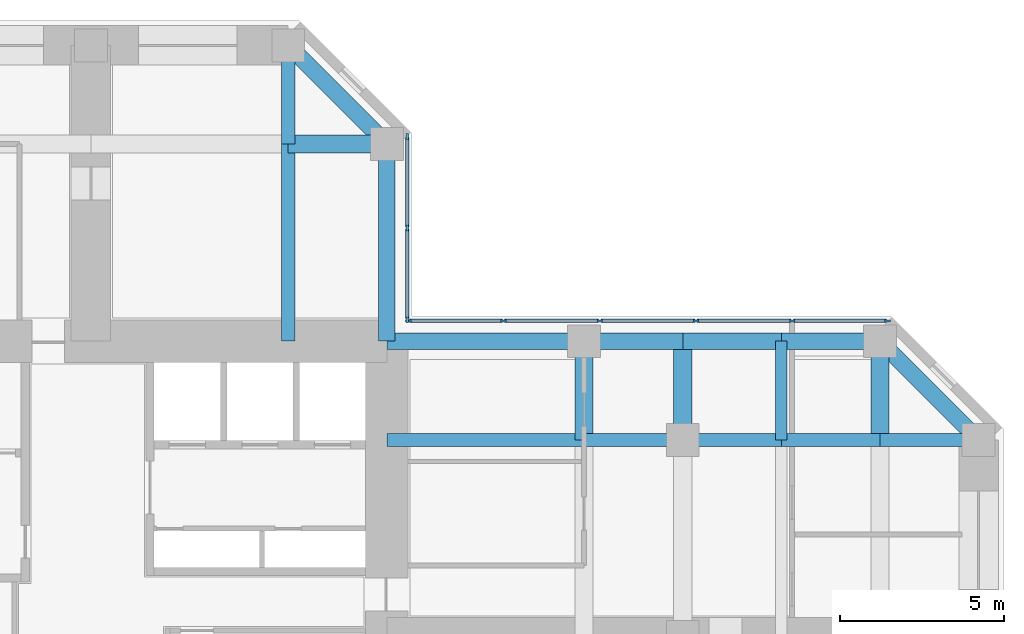
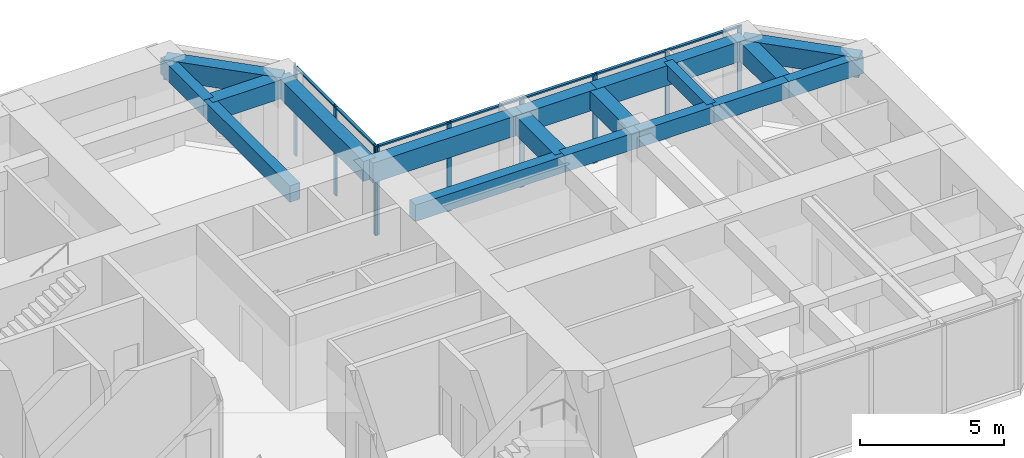
# One storey, part 6 of 13: 19 beams, 16 members, 2 elements without a shape of their own.
"""IFC4 building model written with IfcOpenShell, lengths in metres."""

from ifc_helpers import new_model, si_unit, direction, frame, origin, origin_2d, place, context, subcontext, project, spatial, rectangle, extrude, material, material_profile, profile_set, type_object, element, aggregate, save


model = new_model("IFC4")

# Units and contexts
model_context = context("Model", 3, precision=1e-05, world=origin(), true_north=direction((0.0, 1.0)))
body_context = subcontext(model_context, "Body", "Model", "MODEL_VIEW")
ifc_project = project(units=[si_unit("LENGTHUNIT", "METRE"), si_unit("AREAUNIT", "SQUARE_METRE"), si_unit("VOLUMEUNIT", "CUBIC_METRE"), si_unit("PLANEANGLEUNIT", "RADIAN"), si_unit("MASSUNIT", "GRAM", prefix="KILO")], contexts=[model_context])

# Site, building, storey
site_placement = place(None, origin())
site = spatial("IfcSite", under=ifc_project, at=site_placement, CompositionType="ELEMENT")
building_placement = place(site_placement, origin())
building = spatial("IfcBuilding", under=site, at=building_placement, Name="Torre Cruceta", CompositionType="ELEMENT")
storey_placement = place(building_placement, frame((0.0, 0.0, 128.5)))
storey = spatial("IfcBuildingStorey", under=building, at=storey_placement, Name="L31", CompositionType="ELEMENT", Elevation=128.5)

# Beams
ifc_material_1 = material(Name="Concrete G60 (fck 60 MPa)", Category="concrete")
ifc_material_profile_1 = material_profile(ifc_material_1, rectangle(XDim=0.39990234375, YDim=0.699951171875, at=origin_2d()), Name="RC 400X700")
ifc_profile_set_1 = profile_set([ifc_material_profile_1], Name="Concrete G60 (fck 60 MPa)")
beam_type_1 = type_object("IfcBeamType", Name="COLUMN LINE BEAM RC 400X700", PredefinedType="BEAM", material=ifc_profile_set_1)
beam_1_placement = place(storey_placement, frame((6.0, 9.0, 3.449951171875), z_axis=(0.0, 1.0, 0.0), x_axis=(-1.0, 0.0, 0.0)))
element("IfcBeam", 1, at=beam_1_placement, inside=storey, type_object=beam_type_1, Name="LB5 L31 N col- 1", PredefinedType="BEAM", context=body_context, shape_type="SweptSolid", body=[
    extrude(rectangle(XDim=0.39990234375, YDim=0.699951171875, at=origin_2d()), origin(), (0.0, 0.0, 1.0), 6.0),
])
beam_2_placement = place(storey_placement, frame((6.0, 15.0, 3.449951171875), z_axis=(0.0, 1.0, 0.0), x_axis=(-1.0, 0.0, 0.0)))
element("IfcBeam", 2, at=beam_2_placement, inside=storey, type_object=beam_type_1, Name="LB5 L31 N col- 2", PredefinedType="BEAM", context=body_context, shape_type="SweptSolid", body=[
    extrude(rectangle(XDim=0.39990234375, YDim=0.699951171875, at=origin_2d()), origin(), (0.0, 0.0, 1.0), 3.0),
])
beam_3_placement = place(storey_placement, frame((9.0, 6.0, 3.449951171875), z_axis=(1.0, 0.0, 0.0), x_axis=(0.0, 1.0, 0.0)))
element("IfcBeam", 3, at=beam_3_placement, inside=storey, type_object=beam_type_1, Name="LB5 L31 E col+ 1", PredefinedType="BEAM", context=body_context, shape_type="SweptSolid", body=[
    extrude(rectangle(XDim=0.39990234375, YDim=0.699951171875, at=origin_2d()), origin(), (0.0, 0.0, 1.0), 6.0),
])
for number, where, z_axis, x_axis, name in (
    (4, (15.0, 6.0, 3.449951171875), (1.0, 0.0, 0.0), (0.0, 1.0, 0.0), "LB5 L31 E col+ 2"),
    (5, (18.0, 6.0, 3.449951171875), (1.0, 0.0, 0.0), (0.0, 1.0, 0.0), "LB5 L31 E col+ 3"),
    (6, (21.0, 6.0, 3.449951171875), (1.0, 0.0, 0.0), (0.0, 1.0, 0.0), "LB5 L31 E col+ 4"),
    (7, (24.0, 6.0, 3.449951171875), (1.0, 0.0, 0.0), (0.0, 1.0, 0.0), "LB5 L31 E col+ 5"),
):
    element("IfcBeam", number, at=place(storey_placement, frame(where, z_axis=z_axis, x_axis=x_axis)), inside=storey, type_object=beam_type_1, Name=name, PredefinedType="BEAM", context=body_context, shape_type="SweptSolid", body=[
        extrude(rectangle(XDim=0.39990234375, YDim=0.699951171875, at=origin_2d()), origin(), (0.0, 0.0, 1.0), 3.0),
    ])
ifc_material_2 = material(Name="Concrete G60 (fck 60 MPa)", Category="concrete")
ifc_material_profile_2 = material_profile(ifc_material_2, rectangle(XDim=0.550048828125, YDim=0.800048828125, at=origin_2d()), Name="RC 550X800")
ifc_profile_set_2 = profile_set([ifc_material_profile_2], Name="Concrete G60 (fck 60 MPa)")
beam_type_2 = type_object("IfcBeamType", Name="CROSS BEAM RC 550X800", PredefinedType="BEAM", material=ifc_profile_set_2)
for number, where, z_axis, x_axis, name in (
    (8, (9.0, 15.0, 3.39990234375), (-1.0, 0.0, 0.0), (0.0, -1.0, 0.0), "GB5 L31 N cross15 1"),
    (9, (15.0, 6.0, 3.39990234375), (0.0, 1.0, 0.0), (-1.0, 0.0, 0.0), "GB5 L31 E cross15 4"),
    (10, (18.0, 6.0, 3.39990234375), (0.0, 1.0, 0.0), (-1.0, 0.0, 0.0), "GB5 L31 E cross18 4"),
    (11, (24.0, 6.0, 3.39990234375), (0.0, 1.0, 0.0), (-1.0, 0.0, 0.0), "GB5 L31 E cross24 4"),
):
    element("IfcBeam", number, at=place(storey_placement, frame(where, z_axis=z_axis, x_axis=x_axis)), inside=storey, type_object=beam_type_2, Name=name, PredefinedType="BEAM", context=body_context, shape_type="SweptSolid", body=[
        extrude(rectangle(XDim=0.550048828125, YDim=0.800048828125, at=origin_2d()), origin(), (0.0, 0.0, 1.0), 3.0),
    ])

# Curtain wall, members
ifc_material_3 = material(Name="Aluminium unitised curtain wall", Category="aluminium")
curtain_wall_type = type_object("IfcCurtainWallType", Name="CURTAIN WALL CW-B OFFICE MID RISE", PredefinedType="USERDEFINED", material=ifc_material_3)
curtain_wall_1_placement = place(storey_placement, origin())
curtain_wall_1 = element("IfcCurtainWall", 12, at=curtain_wall_1_placement, inside=storey, type_object=curtain_wall_type, Name="CW-B L31 E side 04", ObjectType="UNITISED", PredefinedType="USERDEFINED")
ifc_material_4 = material(Name="Aluminium mullion", Category="aluminium")
ifc_material_profile_3 = material_profile(ifc_material_4, rectangle(XDim=0.06494140625, YDim=0.179931640625, at=origin_2d()), Name="AL 65X180")
ifc_profile_set_3 = profile_set([ifc_material_profile_3], Name="Aluminium mullion")
member_type_1 = type_object("IfcMemberType", Name="CW-B MULLION 65X180", PredefinedType="MULLION", material=ifc_profile_set_3)
member_1_placement = place(storey_placement, frame((24.224365234375, 9.6201171875, 0.0), z_axis=(0.0, 0.0, 1.0), x_axis=(0.0, -1.0, 0.0)))
member_1 = element("IfcMember", 13, at=member_1_placement, type_object=member_type_1, Name="CW-B mullion 1", PredefinedType="MULLION", context=body_context, shape_type="SweptSolid", body=[
    extrude(rectangle(XDim=0.06494140625, YDim=0.179931640625, at=origin_2d()), origin(), (0.0, 0.0, 1.0), 3.800048828125),
])
member_2_placement = place(storey_placement, frame((21.329345703125, 9.6201171875, 0.0), z_axis=(0.0, 0.0, 1.0), x_axis=(0.0, -1.0, 0.0)))
member_2 = element("IfcMember", 14, at=member_2_placement, type_object=member_type_1, Name="CW-B mullion 2", PredefinedType="MULLION", context=body_context, shape_type="SweptSolid", body=[
    extrude(rectangle(XDim=0.06494140625, YDim=0.179931640625, at=origin_2d()), origin(), (0.0, 0.0, 1.0), 3.800048828125),
])
member_3_placement = place(storey_placement, frame((18.402099609375, 9.6201171875, 0.0), z_axis=(0.0, 0.0, 1.0), x_axis=(0.0, -1.0, 0.0)))
member_3 = element("IfcMember", 15, at=member_3_placement, type_object=member_type_1, Name="CW-B mullion 3", PredefinedType="MULLION", context=body_context, shape_type="SweptSolid", body=[
    extrude(rectangle(XDim=0.06494140625, YDim=0.179931640625, at=origin_2d()), origin(), (0.0, 0.0, 1.0), 3.800048828125),
])
member_4_placement = place(storey_placement, frame((15.474609375, 9.6201171875, 0.0), z_axis=(0.0, 0.0, 1.0), x_axis=(0.0, -1.0, 0.0)))
member_4 = element("IfcMember", 16, at=member_4_placement, type_object=member_type_1, Name="CW-B mullion 4", PredefinedType="MULLION", context=body_context, shape_type="SweptSolid", body=[
    extrude(rectangle(XDim=0.06494140625, YDim=0.179931640625, at=origin_2d()), origin(), (0.0, 0.0, 1.0), 3.800048828125),
])
member_5_placement = place(storey_placement, frame((12.54736328125, 9.6201171875, 0.0), z_axis=(0.0, 0.0, 1.0), x_axis=(0.0, -1.0, 0.0)))
member_5 = element("IfcMember", 17, at=member_5_placement, type_object=member_type_1, Name="CW-B mullion 5", PredefinedType="MULLION", context=body_context, shape_type="SweptSolid", body=[
    extrude(rectangle(XDim=0.06494140625, YDim=0.179931640625, at=origin_2d()), origin(), (0.0, 0.0, 1.0), 3.800048828125),
])
member_6_placement = place(storey_placement, frame((9.652587890625, 9.6201171875, 0.0), z_axis=(0.0, 0.0, 1.0), x_axis=(0.0, -1.0, 0.0)))
member_6 = element("IfcMember", 18, at=member_6_placement, type_object=member_type_1, Name="CW-B mullion 6", PredefinedType="MULLION", context=body_context, shape_type="SweptSolid", body=[
    extrude(rectangle(XDim=0.06494140625, YDim=0.179931640625, at=origin_2d()), origin(), (0.0, 0.0, 1.0), 3.800048828125),
])

curtain_wall_2_placement = place(storey_placement, origin())
curtain_wall_2 = element("IfcCurtainWall", 19, at=curtain_wall_2_placement, inside=storey, type_object=curtain_wall_type, Name="CW-B L31 N side 05", ObjectType="UNITISED", PredefinedType="USERDEFINED")
member_7_placement = place(storey_placement, frame((9.6201171875, 9.652587890625, 0.0), z_axis=(0.0, 0.0, 1.0), x_axis=(-1.0, 0.0, 0.0)))
member_7 = element("IfcMember", 20, at=member_7_placement, type_object=member_type_1, Name="CW-B mullion 1", PredefinedType="MULLION", context=body_context, shape_type="SweptSolid", body=[
    extrude(rectangle(XDim=0.06494140625, YDim=0.179931640625, at=origin_2d()), origin(), (0.0, 0.0, 1.0), 3.800048828125),
])
member_8_placement = place(storey_placement, frame((9.6201171875, 12.4384765625, 0.0), z_axis=(0.0, 0.0, 1.0), x_axis=(-1.0, 0.0, 0.0)))
member_8 = element("IfcMember", 21, at=member_8_placement, type_object=member_type_1, Name="CW-B mullion 2", PredefinedType="MULLION", context=body_context, shape_type="SweptSolid", body=[
    extrude(rectangle(XDim=0.06494140625, YDim=0.179931640625, at=origin_2d()), origin(), (0.0, 0.0, 1.0), 3.800048828125),
])
member_9_placement = place(storey_placement, frame((9.6201171875, 15.224365234375, 0.0), z_axis=(0.0, 0.0, 1.0), x_axis=(-1.0, 0.0, 0.0)))
member_9 = element("IfcMember", 22, at=member_9_placement, type_object=member_type_1, Name="CW-B mullion 3", PredefinedType="MULLION", context=body_context, shape_type="SweptSolid", body=[
    extrude(rectangle(XDim=0.06494140625, YDim=0.179931640625, at=origin_2d()), origin(), (0.0, 0.0, 1.0), 3.800048828125),
])

# Member
ifc_material_5 = material(Name="Aluminium transom", Category="aluminium")
ifc_material_profile_4 = material_profile(ifc_material_5, rectangle(XDim=0.110107421875, YDim=0.06494140625, at=origin_2d()), Name="AL 110X65")
ifc_profile_set_4 = profile_set([ifc_material_profile_4], Name="Aluminium transom")
member_type_2 = type_object("IfcMemberType", Name="CW-B TRANSOM 65X110", PredefinedType="USERDEFINED", material=ifc_profile_set_4)
member_10_placement = place(storey_placement, frame((24.19189453125, 9.6201171875, 3.767578125), z_axis=(-1.0, 0.0, 0.0), x_axis=(0.0, -1.0, 0.0)))
member_10 = element("IfcMember", 23, at=member_10_placement, type_object=member_type_2, Name="CW-B transom 1", ObjectType="TRANSOM", PredefinedType="USERDEFINED", context=body_context, shape_type="SweptSolid", body=[
    extrude(rectangle(XDim=0.110107421875, YDim=0.06494140625, at=origin_2d()), origin(), (0.0, 0.0, 1.0), 2.829833984375),
])

member_11_placement = place(storey_placement, frame((21.296875, 9.6201171875, 3.767578125), z_axis=(-1.0, 0.0, 0.0), x_axis=(0.0, -1.0, 0.0)))
member_11 = element("IfcMember", 24, at=member_11_placement, type_object=member_type_2, Name="CW-B transom 2", ObjectType="TRANSOM", PredefinedType="USERDEFINED", context=body_context, shape_type="SweptSolid", body=[
    extrude(rectangle(XDim=0.110107421875, YDim=0.06494140625, at=origin_2d()), origin(), (0.0, 0.0, 1.0), 2.8623046875),
])

member_12_placement = place(storey_placement, frame((18.36962890625, 9.6201171875, 3.767578125), z_axis=(-1.0, 0.0, 0.0), x_axis=(0.0, -1.0, 0.0)))
member_12 = element("IfcMember", 25, at=member_12_placement, type_object=member_type_2, Name="CW-B transom 3", ObjectType="TRANSOM", PredefinedType="USERDEFINED", context=body_context, shape_type="SweptSolid", body=[
    extrude(rectangle(XDim=0.110107421875, YDim=0.06494140625, at=origin_2d()), origin(), (0.0, 0.0, 1.0), 2.8623046875),
])

member_13_placement = place(storey_placement, frame((15.442138671875, 9.6201171875, 3.767578125), z_axis=(-1.0, 0.0, 0.0), x_axis=(0.0, -1.0, 0.0)))
member_13 = element("IfcMember", 26, at=member_13_placement, type_object=member_type_2, Name="CW-B transom 4", ObjectType="TRANSOM", PredefinedType="USERDEFINED", context=body_context, shape_type="SweptSolid", body=[
    extrude(rectangle(XDim=0.110107421875, YDim=0.06494140625, at=origin_2d()), origin(), (0.0, 0.0, 1.0), 2.8623046875),
])

member_14_placement = place(storey_placement, frame((12.514892578125, 9.6201171875, 3.767578125), z_axis=(-1.0, 0.0, 0.0), x_axis=(0.0, -1.0, 0.0)))
member_14 = element("IfcMember", 27, at=member_14_placement, type_object=member_type_2, Name="CW-B transom 5", ObjectType="TRANSOM", PredefinedType="USERDEFINED", context=body_context, shape_type="SweptSolid", body=[
    extrude(rectangle(XDim=0.110107421875, YDim=0.06494140625, at=origin_2d()), origin(), (0.0, 0.0, 1.0), 2.829833984375),
])

aggregate(curtain_wall_1, [member_1, member_2, member_3, member_4, member_5, member_6, member_10, member_11, member_12, member_13, member_14])

member_15_placement = place(storey_placement, frame((9.6201171875, 9.68505859375, 3.767578125), z_axis=(0.0, 1.0, 0.0), x_axis=(-1.0, 0.0, 0.0)))
member_15 = element("IfcMember", 28, at=member_15_placement, type_object=member_type_2, Name="CW-B transom 1", ObjectType="TRANSOM", PredefinedType="USERDEFINED", context=body_context, shape_type="SweptSolid", body=[
    extrude(rectangle(XDim=0.110107421875, YDim=0.06494140625, at=origin_2d()), origin(), (0.0, 0.0, 1.0), 2.720947265625),
])

member_16_placement = place(storey_placement, frame((9.6201171875, 12.470947265625, 3.767578125), z_axis=(0.0, 1.0, 0.0), x_axis=(-1.0, 0.0, 0.0)))
member_16 = element("IfcMember", 29, at=member_16_placement, type_object=member_type_2, Name="CW-B transom 2", ObjectType="TRANSOM", PredefinedType="USERDEFINED", context=body_context, shape_type="SweptSolid", body=[
    extrude(rectangle(XDim=0.110107421875, YDim=0.06494140625, at=origin_2d()), origin(), (0.0, 0.0, 1.0), 2.720947265625),
])

aggregate(curtain_wall_2, [member_7, member_8, member_9, member_15, member_16])

# Beams
ifc_material_6 = material(Name="Concrete G60 (fck 60 MPa)", Category="concrete")
ifc_material_profile_5 = material_profile(ifc_material_6, rectangle(XDim=0.35009765625, YDim=0.60009765625, at=origin_2d()), Name="RC 350X600")
ifc_profile_set_5 = profile_set([ifc_material_profile_5], Name="Concrete G60 (fck 60 MPa)")
beam_type_3 = type_object("IfcBeamType", Name="SECONDARY BEAM RC 350X600", PredefinedType="JOIST", material=ifc_profile_set_5)
beam_4_placement = place(storey_placement, frame((21.0, 6.0, 3.5), z_axis=(0.0, 1.0, 0.0), x_axis=(-1.0, 0.0, 0.0)))
element("IfcBeam", 30, at=beam_4_placement, inside=storey, type_object=beam_type_3, Name="JB5 L31 E sec21 4", PredefinedType="JOIST", context=body_context, shape_type="SweptSolid", body=[
    extrude(rectangle(XDim=0.35009765625, YDim=0.60009765625, at=origin_2d()), origin(), (0.0, 0.0, 1.0), 3.0),
])
ifc_material_7 = material(Name="Concrete G60 (fck 60 MPa)", Category="concrete")
ifc_material_profile_6 = material_profile(ifc_material_7, rectangle(XDim=0.5, YDim=0.85009765625, at=origin_2d()), Name="RC 500X850")
ifc_profile_set_6 = profile_set([ifc_material_profile_6], Name="Concrete G60 (fck 60 MPa)")
beam_type_4 = type_object("IfcBeamType", Name="SPANDREL BEAM RC 500X850", PredefinedType="SPANDREL", material=ifc_profile_set_6)
beam_5_placement = place(storey_placement, frame((9.0, 9.0, 3.375), z_axis=(0.0, 1.0, 0.0), x_axis=(-1.0, 0.0, 0.0)))
element("IfcBeam", 31, at=beam_5_placement, inside=storey, type_object=beam_type_4, Name="SB5 L31 N side- 1", PredefinedType="SPANDREL", context=body_context, shape_type="SweptSolid", body=[
    extrude(rectangle(XDim=0.5, YDim=0.85009765625, at=origin_2d()), origin(), (0.0, 0.0, 1.0), 6.0),
])
beam_6_placement = place(storey_placement, frame((9.0, 15.0, 3.375), z_axis=(-0.707106781187, 0.707106781187, 0.0), x_axis=(-0.707106781187, -0.707106781187, 0.0)))
element("IfcBeam", 32, at=beam_6_placement, inside=storey, type_object=beam_type_4, Name="SB5 L31 N side- 2", PredefinedType="SPANDREL", context=body_context, shape_type="SweptSolid", body=[
    extrude(rectangle(XDim=0.5, YDim=0.85009765625, at=origin_2d()), origin(), (0.0, 0.0, 1.0), 4.24267578125),
])
beam_7_placement = place(storey_placement, frame((9.0, 9.0, 3.375), z_axis=(1.0, 0.0, 0.0), x_axis=(0.0, 1.0, 0.0)))
element("IfcBeam", 33, at=beam_7_placement, inside=storey, type_object=beam_type_4, Name="SB5 L31 E side+ 1", PredefinedType="SPANDREL", context=body_context, shape_type="SweptSolid", body=[
    extrude(rectangle(XDim=0.5, YDim=0.85009765625, at=origin_2d()), origin(), (0.0, 0.0, 1.0), 6.0),
])
for number, where, z_axis, x_axis, name in (
    (34, (15.0, 9.0, 3.375), (1.0, 0.0, 0.0), (0.0, 1.0, 0.0), "SB5 L31 E side+ 2"),
    (35, (18.0, 9.0, 3.375), (1.0, 0.0, 0.0), (0.0, 1.0, 0.0), "SB5 L31 E side+ 3"),
    (36, (21.0, 9.0, 3.375), (1.0, 0.0, 0.0), (0.0, 1.0, 0.0), "SB5 L31 E side+ 4"),
):
    element("IfcBeam", number, at=place(storey_placement, frame(where, z_axis=z_axis, x_axis=x_axis)), inside=storey, type_object=beam_type_4, Name=name, PredefinedType="SPANDREL", context=body_context, shape_type="SweptSolid", body=[
        extrude(rectangle(XDim=0.5, YDim=0.85009765625, at=origin_2d()), origin(), (0.0, 0.0, 1.0), 3.0),
    ])
beam_8_placement = place(storey_placement, frame((24.0, 9.0, 3.375), z_axis=(0.707106781187, -0.707106781187, 0.0), x_axis=(0.707106781187, 0.707106781187, 0.0)))
element("IfcBeam", 37, at=beam_8_placement, inside=storey, type_object=beam_type_4, Name="SB5 L31 E side+ 5", PredefinedType="SPANDREL", context=body_context, shape_type="SweptSolid", body=[
    extrude(rectangle(XDim=0.5, YDim=0.85009765625, at=origin_2d()), origin(), (0.0, 0.0, 1.0), 4.24267578125),
])

save(model, "model.ifc")
